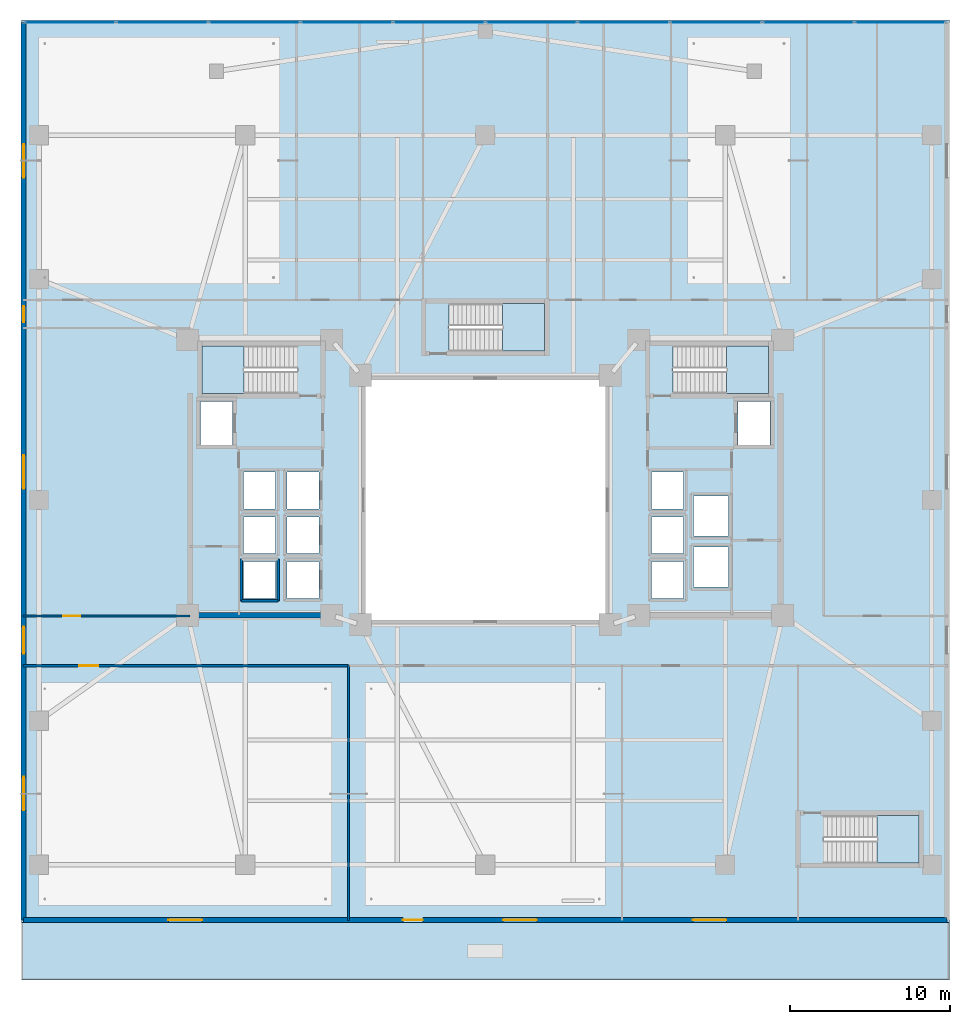
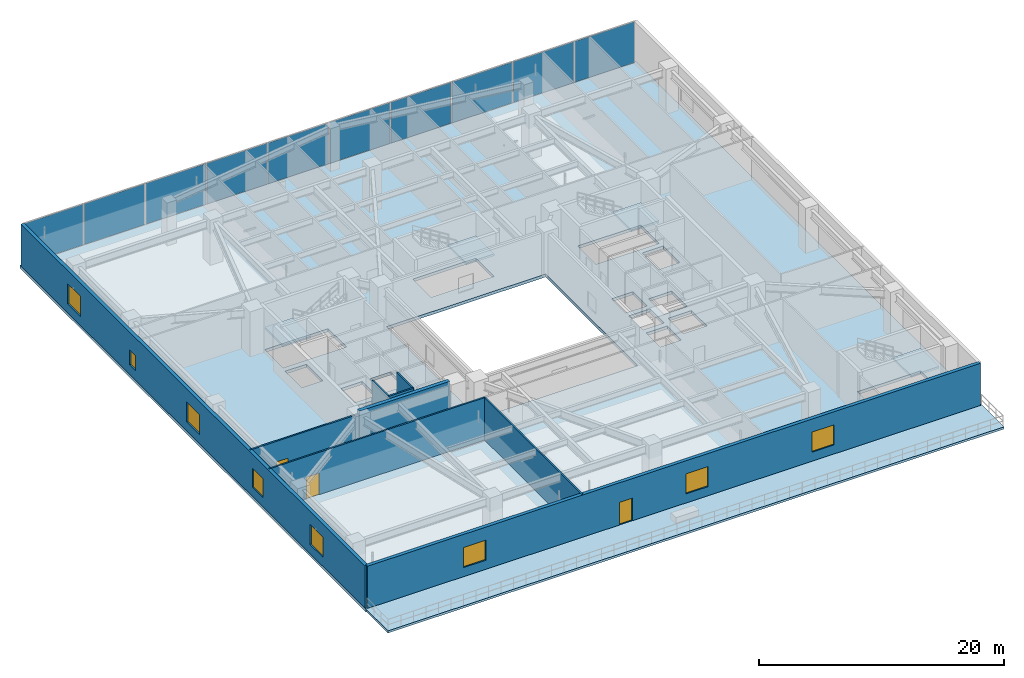
# One storey, part 8 of 22: 10 plates, 9 walls, 8 windows, 6 slabs, 3 doors, 11 openings, 5 elements without a shape of their own.
"""IFC4 building model written with IfcOpenShell, lengths in metres."""

from ifc_helpers import new_model, si_unit, direction, frame, frame_2d, origin, origin_2d, place, context, subcontext, project, spatial, polyline, rectangle, outline, extrude, material, layer, layer_set, type_object, element, fill, aggregate, save


model = new_model("IFC4")

# Units and contexts
model_context = context("Model", 3, precision=1e-05, world=origin(), true_north=direction((0.0, 1.0)))
body_context = subcontext(model_context, "Body", "Model", "MODEL_VIEW")
ifc_project = project(units=[si_unit("LENGTHUNIT", "METRE"), si_unit("AREAUNIT", "SQUARE_METRE"), si_unit("VOLUMEUNIT", "CUBIC_METRE"), si_unit("PLANEANGLEUNIT", "RADIAN"), si_unit("MASSUNIT", "GRAM", prefix="KILO")], contexts=[model_context])

# Site, building, storey
site_placement = place(None, origin())
site = spatial("IfcSite", under=ifc_project, at=site_placement, CompositionType="ELEMENT")
building_placement = place(site_placement, origin())
building = spatial("IfcBuilding", under=site, at=building_placement, Name="Tarnavaz Court Tower", CompositionType="ELEMENT")
storey_placement = place(building_placement, frame((0.0, 0.0, 14.39990234375)))
storey = spatial("IfcBuildingStorey", under=building, at=storey_placement, Name="L03", CompositionType="ELEMENT", Elevation=14.39990234375)

# Curtain wall, plates
ifc_material_1 = material(Name="Anodised Aluminium 6063-T6 and Solar Low-E Glazing", Category="aluminium")
ifc_layer_1 = layer(ifc_material_1, 0.18994140625)
ifc_layer_set_1 = layer_set([ifc_layer_1], Name="Anodised Aluminium 6063-T6 and Solar Low-E Glazing")
curtain_wall_type = type_object("IfcCurtainWallType", Name="CW-SYS-01", PredefinedType="NOTDEFINED", material=ifc_layer_set_1)
curtain_wall_placement = place(storey_placement, origin())
curtain_wall = element("IfcCurtainWall", 1, at=curtain_wall_placement, inside=storey, type_object=curtain_wall_type, Name="L03 Clinic Podium Curtain Wall 1", PredefinedType="NOTDEFINED")
ifc_material_2 = material(Name="Double-Glazed Solar Low-E Glass", Category="glass")
ifc_layer_2 = layer(ifc_material_2, 0.028076171875)
ifc_layer_set_2 = layer_set([ifc_layer_2], Name="Double-Glazed Solar Low-E Glass")
plate_type = type_object("IfcPlateType", Name="CW-PAN-GLZ28", PredefinedType="CURTAIN_PANEL", material=ifc_layer_set_2)
plate_1_placement = place(storey_placement, frame((-25.94384765625, 29.85009765625, 0.06494140625), z_axis=(0.0, 0.0, 1.0), x_axis=(1.0, 0.0, 0.0)))
plate_1 = element("IfcPlate", 2, at=plate_1_placement, type_object=plate_type, Name="CW panel 1.1", PredefinedType="CURTAIN_PANEL", context=body_context, shape_type="SweptSolid", body=[
    extrude(rectangle(XDim=5.642578125, YDim=0.028076171875, at=origin_2d()), origin(), (0.0, 0.0, 1.0), 4.070068359375),
])
plate_2_placement = place(storey_placement, frame((-20.195068359375, 29.85009765625, 0.06494140625), z_axis=(0.0, 0.0, 1.0), x_axis=(1.0, 0.0, 0.0)))
plate_2 = element("IfcPlate", 3, at=plate_2_placement, type_object=plate_type, Name="CW panel 2.1", PredefinedType="CURTAIN_PANEL", context=body_context, shape_type="SweptSolid", body=[
    extrude(rectangle(XDim=5.68505859375, YDim=0.028076171875, at=origin_2d()), origin(), (0.0, 0.0, 1.0), 4.070068359375),
])
plate_3_placement = place(storey_placement, frame((-14.425048828125, 29.85009765625, 0.06494140625), z_axis=(0.0, 0.0, 1.0), x_axis=(1.0, 0.0, 0.0)))
plate_3 = element("IfcPlate", 4, at=plate_3_placement, type_object=plate_type, Name="CW panel 3.1", PredefinedType="CURTAIN_PANEL", context=body_context, shape_type="SweptSolid", body=[
    extrude(rectangle(XDim=5.68505859375, YDim=0.028076171875, at=origin_2d()), origin(), (0.0, 0.0, 1.0), 4.070068359375),
])
plate_4_placement = place(storey_placement, frame((-8.655029296875, 29.85009765625, 0.06494140625), z_axis=(0.0, 0.0, 1.0), x_axis=(1.0, 0.0, 0.0)))
plate_4 = element("IfcPlate", 5, at=plate_4_placement, type_object=plate_type, Name="CW panel 4.1", PredefinedType="CURTAIN_PANEL", context=body_context, shape_type="SweptSolid", body=[
    extrude(rectangle(XDim=5.68505859375, YDim=0.028076171875, at=origin_2d()), origin(), (0.0, 0.0, 1.0), 4.070068359375),
])
plate_5_placement = place(storey_placement, frame((-2.885009765625, 29.85009765625, 0.06494140625), z_axis=(0.0, 0.0, 1.0), x_axis=(1.0, 0.0, 0.0)))
plate_5 = element("IfcPlate", 6, at=plate_5_placement, type_object=plate_type, Name="CW panel 5.1", PredefinedType="CURTAIN_PANEL", context=body_context, shape_type="SweptSolid", body=[
    extrude(rectangle(XDim=5.68505859375, YDim=0.028076171875, at=origin_2d()), origin(), (0.0, 0.0, 1.0), 4.070068359375),
])
plate_6_placement = place(storey_placement, frame((2.885009765625, 29.85009765625, 0.06494140625), z_axis=(0.0, 0.0, 1.0), x_axis=(1.0, 0.0, 0.0)))
plate_6 = element("IfcPlate", 7, at=plate_6_placement, type_object=plate_type, Name="CW panel 6.1", PredefinedType="CURTAIN_PANEL", context=body_context, shape_type="SweptSolid", body=[
    extrude(rectangle(XDim=5.68505859375, YDim=0.028076171875, at=origin_2d()), origin(), (0.0, 0.0, 1.0), 4.070068359375),
])
plate_7_placement = place(storey_placement, frame((8.655029296875, 29.85009765625, 0.06494140625), z_axis=(0.0, 0.0, 1.0), x_axis=(1.0, 0.0, 0.0)))
plate_7 = element("IfcPlate", 8, at=plate_7_placement, type_object=plate_type, Name="CW panel 7.1", PredefinedType="CURTAIN_PANEL", context=body_context, shape_type="SweptSolid", body=[
    extrude(rectangle(XDim=5.68505859375, YDim=0.028076171875, at=origin_2d()), origin(), (0.0, 0.0, 1.0), 4.070068359375),
])
plate_8_placement = place(storey_placement, frame((14.425048828125, 29.85009765625, 0.06494140625), z_axis=(0.0, 0.0, 1.0), x_axis=(1.0, 0.0, 0.0)))
plate_8 = element("IfcPlate", 9, at=plate_8_placement, type_object=plate_type, Name="CW panel 8.1", PredefinedType="CURTAIN_PANEL", context=body_context, shape_type="SweptSolid", body=[
    extrude(rectangle(XDim=5.68505859375, YDim=0.028076171875, at=origin_2d()), origin(), (0.0, 0.0, 1.0), 4.070068359375),
])
plate_9_placement = place(storey_placement, frame((20.195068359375, 29.85009765625, 0.06494140625), z_axis=(0.0, 0.0, 1.0), x_axis=(1.0, 0.0, 0.0)))
plate_9 = element("IfcPlate", 10, at=plate_9_placement, type_object=plate_type, Name="CW panel 9.1", PredefinedType="CURTAIN_PANEL", context=body_context, shape_type="SweptSolid", body=[
    extrude(rectangle(XDim=5.68505859375, YDim=0.028076171875, at=origin_2d()), origin(), (0.0, 0.0, 1.0), 4.070068359375),
])
plate_10_placement = place(storey_placement, frame((25.94384765625, 29.85009765625, 0.06494140625), z_axis=(0.0, 0.0, 1.0), x_axis=(1.0, 0.0, 0.0)))
plate_10 = element("IfcPlate", 11, at=plate_10_placement, type_object=plate_type, Name="CW panel 10.1", PredefinedType="CURTAIN_PANEL", context=body_context, shape_type="SweptSolid", body=[
    extrude(rectangle(XDim=5.642578125, YDim=0.028076171875, at=origin_2d()), origin(), (0.0, 0.0, 1.0), 4.070068359375),
])
aggregate(curtain_wall, [plate_1, plate_2, plate_3, plate_4, plate_5, plate_6, plate_7, plate_8, plate_9, plate_10])

# Stair, slab
ifc_material_3 = material(Name="Concrete C40/50", Category="concrete")
stair_type = type_object("IfcStairType", Name="ST-TWR-26R", PredefinedType="HALF_TURN_STAIR", material=ifc_material_3)
stair_1_placement = place(storey_placement, origin())
stair_1 = element("IfcStair", 12, at=stair_1_placement, inside=storey, type_object=stair_type, Name="L03 West Core Pressurized Exit Stair ST-W1", PredefinedType="HALF_TURN_STAIR")
ifc_layer_3 = layer(ifc_material_3, 0.199951171875)
ifc_layer_set_3 = layer_set([ifc_layer_3], Name="Concrete C40/50")
slab_type_1 = type_object("IfcSlabType", Name="SL-LAND-200", PredefinedType="LANDING", material=ifc_layer_set_3)
slab_1_placement = place(storey_placement, frame((0.0, 0.0, 2.050048828125)))
slab_1 = element("IfcSlab", 13, at=slab_1_placement, type_object=slab_type_1, Name="ST-W1 landing 1", PredefinedType="LANDING", context=body_context, shape_type="SweptSolid", body=[
    extrude(outline(polyline([(-15.080078125, 9.639892578125), (-17.699951171875, 9.639892578125), (-17.699951171875, 6.64990234375), (-15.080078125, 6.64990234375), (-15.080078125, 9.639892578125)])), origin(), (0.0, 0.0, 1.0), 0.199951171875),
])
aggregate(stair_1, [slab_1])

stair_2_placement = place(storey_placement, origin())
stair_2 = element("IfcStair", 14, at=stair_2_placement, inside=storey, type_object=stair_type, Name="L03 East Core Pressurized Exit Stair ST-E1", PredefinedType="HALF_TURN_STAIR")
slab_2_placement = place(storey_placement, frame((0.0, 0.0, 2.050048828125)))
slab_2 = element("IfcSlab", 15, at=slab_2_placement, type_object=slab_type_1, Name="ST-E1 landing 1", PredefinedType="LANDING", context=body_context, shape_type="SweptSolid", body=[
    extrude(outline(polyline([(15.080078125, 6.64990234375), (17.699951171875, 6.64990234375), (17.699951171875, 9.639892578125), (15.080078125, 9.639892578125), (15.080078125, 6.64990234375)])), origin(), (0.0, 0.0, 1.0), 0.199951171875),
])
aggregate(stair_2, [slab_2])

stair_3_placement = place(storey_placement, origin())
stair_3 = element("IfcStair", 16, at=stair_3_placement, inside=storey, type_object=stair_type, Name="L03 North Ring Pressurized Exit Stair ST-N1", PredefinedType="HALF_TURN_STAIR")
slab_3_placement = place(storey_placement, frame((0.0, 0.0, 2.050048828125)))
slab_3 = element("IfcSlab", 17, at=slab_3_placement, type_object=slab_type_1, Name="ST-N1 landing 1", PredefinedType="LANDING", context=body_context, shape_type="SweptSolid", body=[
    extrude(outline(polyline([(1.080078125, 9.300048828125), (3.699951171875, 9.300048828125), (3.699951171875, 12.2900390625), (1.080078125, 12.2900390625), (1.080078125, 9.300048828125)])), origin(), (0.0, 0.0, 1.0), 0.199951171875),
])
aggregate(stair_3, [slab_3])

stair_4_placement = place(storey_placement, origin())
stair_4 = element("IfcStair", 18, at=stair_4_placement, inside=storey, type_object=stair_type, Name="L03 Podium Clinic Exit Stair ST-P1", PredefinedType="HALF_TURN_STAIR")
slab_4_placement = place(storey_placement, frame((0.0, 0.0, 2.050048828125)))
slab_4 = element("IfcSlab", 19, at=slab_4_placement, type_object=slab_type_1, Name="ST-P1 landing 1", PredefinedType="LANDING", context=body_context, shape_type="SweptSolid", body=[
    extrude(outline(polyline([(24.47998046875, -22.699951171875), (27.10009765625, -22.699951171875), (27.10009765625, -19.7099609375), (24.47998046875, -19.7099609375), (24.47998046875, -22.699951171875)])), origin(), (0.0, 0.0, 1.0), 0.199951171875),
])
aggregate(stair_4, [slab_4])

# Slabs
ifc_layer_4 = layer(ifc_material_3, 0.300048828125)
ifc_layer_set_4 = layer_set([ifc_layer_4], Name="Concrete C40/50")
slab_type_2 = type_object("IfcSlabType", Name="SL-POD-300", PredefinedType="FLOOR", material=ifc_layer_set_4)
slab_5_placement = place(storey_placement, frame((0.0, 0.0, -0.2998046875)))
element("IfcSlab", 20, at=slab_5_placement, inside=storey, type_object=slab_type_2, Name="L03 Structural Floor Slab", PredefinedType="FLOOR", context=body_context, shape_type="SweptSolid", body=[
    extrude(outline(polyline([(-29.0, -26.39990234375), (29.0, -26.39990234375), (29.0, 30.0), (-29.0, 30.0), (-29.0, -26.39990234375)]), holes=[polyline([(-7.5, -7.5), (7.5, -7.5), (7.5, 7.5), (-7.5, 7.5), (-7.5, -7.5)]), polyline([(-11.7451171875, 9.639892578125), (-17.699951171875, 9.639892578125), (-17.699951171875, 6.64990234375), (-11.7451171875, 6.64990234375), (-11.7451171875, 9.639892578125)]), polyline([(11.7451171875, 6.64990234375), (17.699951171875, 6.64990234375), (17.699951171875, 9.639892578125), (11.7451171875, 9.639892578125), (11.7451171875, 6.64990234375)]), polyline([(-2.2548828125, 9.300048828125), (3.699951171875, 9.300048828125), (3.699951171875, 12.2900390625), (-2.2548828125, 12.2900390625), (-2.2548828125, 9.300048828125)]), polyline([(21.14501953125, -22.699951171875), (27.10009765625, -22.699951171875), (27.10009765625, -19.7099609375), (21.14501953125, -19.7099609375), (21.14501953125, -22.699951171875)]), polyline([(-17.800048828125, 3.449951171875), (-15.800048828125, 3.449951171875), (-15.800048828125, 6.14990234375), (-17.800048828125, 6.14990234375), (-17.800048828125, 3.449951171875)]), polyline([(-12.39990234375, -6.14990234375), (-10.39990234375, -6.14990234375), (-10.39990234375, -3.85009765625), (-12.39990234375, -3.85009765625), (-12.39990234375, -6.14990234375)]), polyline([(-12.39990234375, -3.35009765625), (-10.39990234375, -3.35009765625), (-10.39990234375, -1.050048828125), (-12.39990234375, -1.050048828125), (-12.39990234375, -3.35009765625)]), polyline([(-12.39990234375, -0.550048828125), (-10.39990234375, -0.550048828125), (-10.39990234375, 1.75), (-12.39990234375, 1.75), (-12.39990234375, -0.550048828125)]), polyline([(-15.10009765625, -6.14990234375), (-13.10009765625, -6.14990234375), (-13.10009765625, -3.85009765625), (-15.10009765625, -3.85009765625), (-15.10009765625, -6.14990234375)]), polyline([(-15.10009765625, -3.35009765625), (-13.10009765625, -3.35009765625), (-13.10009765625, -1.050048828125), (-15.10009765625, -1.050048828125), (-15.10009765625, -3.35009765625)]), polyline([(-15.10009765625, -0.550048828125), (-13.10009765625, -0.550048828125), (-13.10009765625, 1.75), (-15.10009765625, 1.75), (-15.10009765625, -0.550048828125)]), polyline([(15.800048828125, 3.449951171875), (17.800048828125, 3.449951171875), (17.800048828125, 6.14990234375), (15.800048828125, 6.14990234375), (15.800048828125, 3.449951171875)]), polyline([(10.39990234375, -6.14990234375), (12.39990234375, -6.14990234375), (12.39990234375, -3.85009765625), (10.39990234375, -3.85009765625), (10.39990234375, -6.14990234375)]), polyline([(10.39990234375, -3.35009765625), (12.39990234375, -3.35009765625), (12.39990234375, -1.050048828125), (10.39990234375, -1.050048828125), (10.39990234375, -3.35009765625)]), polyline([(10.39990234375, -0.550048828125), (12.39990234375, -0.550048828125), (12.39990234375, 1.75), (10.39990234375, 1.75), (10.39990234375, -0.550048828125)]), polyline([(13.0, -5.449951171875), (15.199951171875, -5.449951171875), (15.199951171875, -2.949951171875), (13.0, -2.949951171875), (13.0, -5.449951171875)]), polyline([(13.0, -2.25), (15.199951171875, -2.25), (15.199951171875, 0.25), (13.0, 0.25), (13.0, -2.25)])]), origin(), (0.0, 0.0, 1.0), 0.2998046875),
])
ifc_layer_5 = layer(ifc_material_3, 0.219970703125)
ifc_layer_set_5 = layer_set([ifc_layer_5], Name="Concrete C40/50")
slab_type_3 = type_object("IfcSlabType", Name="SL-TERR-220", PredefinedType="FLOOR", material=ifc_layer_set_5)
slab_6_placement = place(storey_placement, frame((0.0, 0.0, -0.219970703125)))
element("IfcSlab", 21, at=slab_6_placement, inside=storey, type_object=slab_type_3, Name="L03 South Chahar-Bagh Daycare Terrace", PredefinedType="FLOOR", context=body_context, shape_type="SweptSolid", body=[
    extrude(outline(polyline([(-29.0, -30.0), (29.0, -30.0), (29.0, -26.39990234375), (-29.0, -26.39990234375), (-29.0, -30.0)])), origin(), (0.0, 0.0, 1.0), 0.219970703125),
])

# Wall
ifc_material_4 = material(Name="Concrete C60/75", Category="concrete")
ifc_layer_6 = layer(ifc_material_4, 0.35009765625)
ifc_layer_set_6 = layer_set([ifc_layer_6], Name="Concrete C60/75")
wall_type_1 = type_object("IfcWallType", Name="WL-CORE-350-C60", PredefinedType="SHEAR", material=ifc_layer_set_6)
wall_1_placement = place(storey_placement, frame((-18.625, -7.199951171875, 0.0), z_axis=(0.0, 0.0, 1.0), x_axis=(1.0, 0.0, 0.0)))
element("IfcWall", 22, at=wall_1_placement, inside=storey, type_object=wall_type_1, Name="L03 West Core South Shear Wall 074", PredefinedType="SHEAR", context=body_context, shape_type="SweptSolid", body=[
    extrude(rectangle(XDim=8.550048828125, YDim=0.35009765625, at=frame_2d((4.27490234375, 0.0))), origin(), (0.0, 0.0, 1.0), 4.5),
])

# Wall, openings, door, windows
ifc_material_5 = material(Name="Precast Concrete C40/50", Category="concrete")
ifc_layer_7 = layer(ifc_material_5, 0.320068359375)
ifc_layer_set_7 = layer_set([ifc_layer_7], Name="Precast Concrete C40/50")
wall_type_2 = type_object("IfcWallType", Name="WL-EXT-320", PredefinedType="SOLIDWALL", material=ifc_layer_set_7)
wall_2_placement = place(storey_placement, frame((28.85009765625, -26.25, 0.0), z_axis=(0.0, 0.0, 1.0), x_axis=(-1.0, 0.0, 0.0)))
wall_2 = element("IfcWall", 23, at=wall_2_placement, inside=storey, type_object=wall_type_2, Name="L03 Exterior Terracotta Facade Wall 03", PredefinedType="SOLIDWALL", context=body_context, shape_type="SweptSolid", body=[
    extrude(rectangle(XDim=57.7001953125, YDim=0.320068359375, at=frame_2d((28.85009765625, 0.0))), origin(), (0.0, 0.0, 1.0), 4.2001953125),
])
opening_1_placement = place(wall_2_placement, frame((32.75, 0.0, 0.0)))
opening_1 = element("IfcOpeningElement", 24, at=opening_1_placement, cuts=wall_2, Name="Opening TD2", PredefinedType="OPENING", context=body_context, shape_type="SweptSolid", body=[
    extrude(rectangle(XDim=1.25, YDim=2.25, at=frame_2d((0.625, 1.125))), frame((0.0, 0.169921875, 0.0), z_axis=(0.0, -1.0, 0.0), x_axis=(1.0, 0.0, 0.0)), (0.0, 0.0, 1.0), 0.340087890625),
])
opening_2_placement = place(wall_2_placement, frame((13.77490234375, 0.0, 0.89990234375)))
opening_2 = element("IfcOpeningElement", 25, at=opening_2_placement, cuts=wall_2, Name="Opening W09", PredefinedType="OPENING", context=body_context, shape_type="SweptSolid", body=[
    extrude(rectangle(XDim=2.10009765625, YDim=2.0, at=frame_2d((1.050048828125, 1.0))), frame((0.0, 0.169921875, 0.0), z_axis=(0.0, -1.0, 0.0), x_axis=(1.0, 0.0, 0.0)), (0.0, 0.0, 1.0), 0.340087890625),
])
opening_3_placement = place(wall_2_placement, frame((25.6298828125, 0.0, 0.89990234375)))
opening_3 = element("IfcOpeningElement", 26, at=opening_3_placement, cuts=wall_2, Name="Opening W09", PredefinedType="OPENING", context=body_context, shape_type="SweptSolid", body=[
    extrude(rectangle(XDim=2.10009765625, YDim=2.0, at=frame_2d((1.050048828125, 1.0))), frame((0.0, 0.169921875, 0.0), z_axis=(0.0, -1.0, 0.0), x_axis=(1.0, 0.0, 0.0)), (0.0, 0.0, 1.0), 0.340087890625),
])
opening_4_placement = place(wall_2_placement, frame((46.550048828125, 0.0, 0.89990234375)))
opening_4 = element("IfcOpeningElement", 27, at=opening_4_placement, cuts=wall_2, Name="Opening W09", PredefinedType="OPENING", context=body_context, shape_type="SweptSolid", body=[
    extrude(rectangle(XDim=2.10009765625, YDim=2.0, at=frame_2d((1.050048828125, 1.0))), frame((0.0, 0.169921875, 0.0), z_axis=(0.0, -1.0, 0.0), x_axis=(1.0, 0.0, 0.0)), (0.0, 0.0, 1.0), 0.340087890625),
])
ifc_material_6 = material(Name="Thermally Broken Aluminium and Laminated Glass", Category="aluminium")
door_type_1 = type_object("IfcDoorType", Name="DR-TERR-1250", OperationType="NOTDEFINED", PredefinedType="DOOR", material=ifc_material_6)
door_1_placement = place(opening_1_placement, origin())
door_1 = element("IfcDoor", 28, at=door_1_placement, inside=storey, type_object=door_type_1, Name="L03 Sky Terrace Access Door 1", OperationType="SINGLE_SWING_LEFT", OverallHeight=2.25, OverallWidth=1.25, PredefinedType="DOOR", context=body_context, shape_type="SweptSolid", body=[
    extrude(rectangle(XDim=1.25, YDim=2.25, at=frame_2d((0.625, 1.125))), frame((0.0, 0.02490234375, 0.0), z_axis=(0.0, -1.0, 0.0), x_axis=(1.0, 0.0, 0.0)), (0.0, 0.0, 1.0), 0.050048828125),
])
fill(opening_1, door_1)
window_type_1 = type_object("IfcWindowType", Name="WN-CLN-2100", PartitioningType="DOUBLE_PANEL_VERTICAL", PredefinedType="WINDOW", material=ifc_material_2)
window_1_placement = place(opening_2_placement, origin())
window_1 = element("IfcWindow", 29, at=window_1_placement, inside=storey, type_object=window_type_1, Name="L03 L03 South-East Treatment Suite Window", OverallHeight=2.0, OverallWidth=2.10009765625, PartitioningType="SINGLE_PANEL", PredefinedType="WINDOW", context=body_context, shape_type="SweptSolid", body=[
    extrude(rectangle(XDim=2.10009765625, YDim=2.0, at=frame_2d((1.050048828125, 1.0))), frame((0.0, 0.030029296875, 0.0), z_axis=(0.0, -1.0, 0.0), x_axis=(1.0, 0.0, 0.0)), (0.0, 0.0, 1.0), 0.06005859375),
])
fill(opening_2, window_1)
window_2_placement = place(opening_3_placement, origin())
window_2 = element("IfcWindow", 30, at=window_2_placement, inside=storey, type_object=window_type_1, Name="L03 Parent and Community Welfare Lounge Window", OverallHeight=2.0, OverallWidth=2.10009765625, PartitioningType="SINGLE_PANEL", PredefinedType="WINDOW", context=body_context, shape_type="SweptSolid", body=[
    extrude(rectangle(XDim=2.10009765625, YDim=2.0, at=frame_2d((1.050048828125, 1.0))), frame((0.0, 0.030029296875, 0.0), z_axis=(0.0, -1.0, 0.0), x_axis=(1.0, 0.0, 0.0)), (0.0, 0.0, 1.0), 0.06005859375),
])
fill(opening_3, window_2)
window_3_placement = place(opening_4_placement, origin())
window_3 = element("IfcWindow", 31, at=window_3_placement, inside=storey, type_object=window_type_1, Name="L03 L03 West Terrace Waiting Lounge Window", OverallHeight=2.0, OverallWidth=2.10009765625, PartitioningType="SINGLE_PANEL", PredefinedType="WINDOW", context=body_context, shape_type="SweptSolid", body=[
    extrude(rectangle(XDim=2.10009765625, YDim=2.0, at=frame_2d((1.050048828125, 1.0))), frame((0.0, 0.030029296875, 0.0), z_axis=(0.0, -1.0, 0.0), x_axis=(1.0, 0.0, 0.0)), (0.0, 0.0, 1.0), 0.06005859375),
])
fill(opening_4, window_3)

# Wall, openings, windows
wall_3_placement = place(storey_placement, frame((-28.85009765625, -26.25, 0.0), z_axis=(0.0, 0.0, 1.0), x_axis=(0.0, 1.0, 0.0)))
wall_3 = element("IfcWall", 32, at=wall_3_placement, inside=storey, type_object=wall_type_2, Name="L03 Exterior Terracotta Facade Wall 04", PredefinedType="SOLIDWALL", context=body_context, shape_type="SweptSolid", body=[
    extrude(rectangle(XDim=56.10009765625, YDim=0.320068359375, at=frame_2d((28.050048828125, 0.0))), origin(), (0.0, 0.0, 1.0), 4.2001953125),
])
opening_5_placement = place(wall_3_placement, frame((6.85009765625, 0.0, 0.89990234375)))
opening_5 = element("IfcOpeningElement", 33, at=opening_5_placement, cuts=wall_3, Name="Opening W09", PredefinedType="OPENING", context=body_context, shape_type="SweptSolid", body=[
    extrude(rectangle(XDim=2.10009765625, YDim=2.0, at=frame_2d((1.050048828125, 1.0))), frame((0.0, 0.169921875, 0.0), z_axis=(0.0, -1.0, 0.0), x_axis=(1.0, 0.0, 0.0)), (0.0, 0.0, 1.0), 0.340087890625),
])
opening_6_placement = place(wall_3_placement, frame((16.642578125, 0.0, 0.89990234375)))
opening_6 = element("IfcOpeningElement", 34, at=opening_6_placement, cuts=wall_3, Name="Opening W10", PredefinedType="OPENING", context=body_context, shape_type="SweptSolid", body=[
    extrude(rectangle(XDim=1.699951171875, YDim=1.89990234375, at=frame_2d((0.85009765625, 0.949951171875))), frame((0.0, 0.169921875, 0.0), z_axis=(0.0, -1.0, 0.0), x_axis=(1.0, 0.0, 0.0)), (0.0, 0.0, 1.0), 0.340087890625),
])
opening_7_placement = place(wall_3_placement, frame((26.949951171875, 0.0, 0.89990234375)))
opening_7 = element("IfcOpeningElement", 35, at=opening_7_placement, cuts=wall_3, Name="Opening W09", PredefinedType="OPENING", context=body_context, shape_type="SweptSolid", body=[
    extrude(rectangle(XDim=2.10009765625, YDim=2.0, at=frame_2d((1.050048828125, 1.0))), frame((0.0, 0.169921875, 0.0), z_axis=(0.0, -1.0, 0.0), x_axis=(1.0, 0.0, 0.0)), (0.0, 0.0, 1.0), 0.340087890625),
])
opening_8_placement = place(wall_3_placement, frame((37.375, 0.0, 0.949951171875)))
opening_8 = element("IfcOpeningElement", 36, at=opening_8_placement, cuts=wall_3, Name="Opening W14", PredefinedType="OPENING", context=body_context, shape_type="SweptSolid", body=[
    extrude(rectangle(XDim=1.0, YDim=1.5, at=frame_2d((0.5, 0.75))), frame((0.0, 0.169921875, 0.0), z_axis=(0.0, -1.0, 0.0), x_axis=(1.0, 0.0, 0.0)), (0.0, 0.0, 1.0), 0.340087890625),
])
opening_9_placement = place(wall_3_placement, frame((46.39990234375, 0.0, 0.89990234375)))
opening_9 = element("IfcOpeningElement", 37, at=opening_9_placement, cuts=wall_3, Name="Opening W09", PredefinedType="OPENING", context=body_context, shape_type="SweptSolid", body=[
    extrude(rectangle(XDim=2.10009765625, YDim=2.0, at=frame_2d((1.050048828125, 1.0))), frame((0.0, 0.169921875, 0.0), z_axis=(0.0, -1.0, 0.0), x_axis=(1.0, 0.0, 0.0)), (0.0, 0.0, 1.0), 0.340087890625),
])
window_type_2 = type_object("IfcWindowType", Name="WN-APT-1000", PartitioningType="SINGLE_PANEL", PredefinedType="WINDOW", material=ifc_material_2)
window_4_placement = place(opening_8_placement, origin())
window_4 = element("IfcWindow", 38, at=window_4_placement, inside=storey, type_object=window_type_2, Name="L03 North-West Wing Corridor Window", OverallHeight=1.5, OverallWidth=1.0, PartitioningType="SINGLE_PANEL", PredefinedType="WINDOW", context=body_context, shape_type="SweptSolid", body=[
    extrude(rectangle(XDim=1.0, YDim=1.5, at=frame_2d((0.5, 0.75))), frame((0.0, 0.030029296875, 0.0), z_axis=(0.0, -1.0, 0.0), x_axis=(1.0, 0.0, 0.0)), (0.0, 0.0, 1.0), 0.06005859375),
])
fill(opening_8, window_4)
window_type_3 = type_object("IfcWindowType", Name="WN-CLN-1700", PartitioningType="DOUBLE_PANEL_VERTICAL", PredefinedType="WINDOW", material=ifc_material_2)
window_5_placement = place(opening_6_placement, origin())
window_5 = element("IfcWindow", 39, at=window_5_placement, inside=storey, type_object=window_type_3, Name="L03 South-West Wing Corridor Window", OverallHeight=1.89990234375, OverallWidth=1.699951171875, PartitioningType="SINGLE_PANEL", PredefinedType="WINDOW", context=body_context, shape_type="SweptSolid", body=[
    extrude(rectangle(XDim=1.699951171875, YDim=1.89990234375, at=frame_2d((0.85009765625, 0.949951171875))), frame((0.0, 0.030029296875, 0.0), z_axis=(0.0, -1.0, 0.0), x_axis=(1.0, 0.0, 0.0)), (0.0, 0.0, 1.0), 0.06005859375),
])
fill(opening_6, window_5)
window_6_placement = place(opening_5_placement, origin())
window_6 = element("IfcWindow", 40, at=window_6_placement, inside=storey, type_object=window_type_1, Name="L03 L03 West Terrace Waiting Lounge Window", OverallHeight=2.0, OverallWidth=2.10009765625, PartitioningType="SINGLE_PANEL", PredefinedType="WINDOW", context=body_context, shape_type="SweptSolid", body=[
    extrude(rectangle(XDim=2.10009765625, YDim=2.0, at=frame_2d((1.050048828125, 1.0))), frame((0.0, 0.030029296875, 0.0), z_axis=(0.0, -1.0, 0.0), x_axis=(1.0, 0.0, 0.0)), (0.0, 0.0, 1.0), 0.06005859375),
])
fill(opening_5, window_6)
window_7_placement = place(opening_7_placement, origin())
window_7 = element("IfcWindow", 41, at=window_7_placement, inside=storey, type_object=window_type_1, Name="L03 L03 West Chahar-Bagh Clinical Lounge Window", OverallHeight=2.0, OverallWidth=2.10009765625, PartitioningType="SINGLE_PANEL", PredefinedType="WINDOW", context=body_context, shape_type="SweptSolid", body=[
    extrude(rectangle(XDim=2.10009765625, YDim=2.0, at=frame_2d((1.050048828125, 1.0))), frame((0.0, 0.030029296875, 0.0), z_axis=(0.0, -1.0, 0.0), x_axis=(1.0, 0.0, 0.0)), (0.0, 0.0, 1.0), 0.06005859375),
])
fill(opening_7, window_7)
window_8_placement = place(opening_9_placement, origin())
window_8 = element("IfcWindow", 42, at=window_8_placement, inside=storey, type_object=window_type_1, Name="L03 Early-Learning Nursery Classroom West Window", OverallHeight=2.0, OverallWidth=2.10009765625, PartitioningType="SINGLE_PANEL", PredefinedType="WINDOW", context=body_context, shape_type="SweptSolid", body=[
    extrude(rectangle(XDim=2.10009765625, YDim=2.0, at=frame_2d((1.050048828125, 1.0))), frame((0.0, 0.030029296875, 0.0), z_axis=(0.0, -1.0, 0.0), x_axis=(1.0, 0.0, 0.0)), (0.0, 0.0, 1.0), 0.06005859375),
])
fill(opening_9, window_8)

# Wall, opening, door
ifc_material_7 = material(Name="Gypsum Fire-Board on Acoustic Metal Stud", Category="masonry")
ifc_layer_8 = layer(ifc_material_7, 0.14990234375)
ifc_layer_set_8 = layer_set([ifc_layer_8], Name="Gypsum Fire-Board on Acoustic Metal Stud")
wall_type_3 = type_object("IfcWallType", Name="WL-FIRE-150", PredefinedType="PARTITIONING", material=ifc_layer_set_8)
wall_4_placement = place(storey_placement, frame((-28.8798828125, -10.35009765625, 0.0), z_axis=(0.0, 0.0, 1.0), x_axis=(1.0, 0.0, 0.0)))
wall_4 = element("IfcWall", 43, at=wall_4_placement, inside=storey, type_object=wall_type_3, Name="L03 SW Corridor Wall 088", PredefinedType="PARTITIONING", context=body_context, shape_type="SweptSolid", body=[
    extrude(rectangle(XDim=20.329833984375, YDim=0.14990234375, at=frame_2d((10.1650390625, 0.0))), origin(), (0.0, 0.0, 1.0), 4.2001953125),
])
opening_10_placement = place(wall_4_placement, frame((3.5, 0.0, 0.0)))
opening_10 = element("IfcOpeningElement", 44, at=opening_10_placement, cuts=wall_4, Name="Opening D11", PredefinedType="OPENING", context=body_context, shape_type="SweptSolid", body=[
    extrude(rectangle(XDim=1.199951171875, YDim=2.14990234375, at=frame_2d((0.60009765625, 1.074951171875))), frame((0.0, 0.0849609375, 0.0), z_axis=(0.0, -1.0, 0.0), x_axis=(1.0, 0.0, 0.0)), (0.0, 0.0, 1.0), 0.169921875),
])
ifc_material_8 = material(Name="Engineered Oak Timber", Category="wood")
door_type_2 = type_object("IfcDoorType", Name="DR-INT-1200", OperationType="NOTDEFINED", PredefinedType="DOOR", material=ifc_material_8)
door_2_placement = place(opening_10_placement, origin())
door_2 = element("IfcDoor", 45, at=door_2_placement, inside=storey, type_object=door_type_2, Name="L03 West Terrace Lounge Door", OperationType="SINGLE_SWING_RIGHT", OverallHeight=2.14990234375, OverallWidth=1.199951171875, PredefinedType="DOOR", context=body_context, shape_type="SweptSolid", body=[
    extrude(rectangle(XDim=1.199951171875, YDim=2.14990234375, at=frame_2d((0.60009765625, 1.074951171875))), frame((0.0, 0.02490234375, 0.0), z_axis=(0.0, -1.0, 0.0), x_axis=(1.0, 0.0, 0.0)), (0.0, 0.0, 1.0), 0.050048828125),
])
fill(opening_10, door_2)

wall_5_placement = place(storey_placement, frame((-28.8798828125, -7.25, 0.0), z_axis=(0.0, 0.0, 1.0), x_axis=(1.0, 0.0, 0.0)))
wall_5 = element("IfcWall", 46, at=wall_5_placement, inside=storey, type_object=wall_type_3, Name="L03 Interior Partition 103", PredefinedType="PARTITIONING", context=body_context, shape_type="SweptSolid", body=[
    extrude(rectangle(XDim=10.429931640625, YDim=0.14990234375, at=frame_2d((5.21484375, 0.0))), origin(), (0.0, 0.0, 1.0), 4.2001953125),
])
opening_11_placement = place(wall_5_placement, frame((2.5, 0.0, 0.0)))
opening_11 = element("IfcOpeningElement", 47, at=opening_11_placement, cuts=wall_5, Name="Opening D12", PredefinedType="OPENING", context=body_context, shape_type="SweptSolid", body=[
    extrude(rectangle(XDim=1.080078125, YDim=2.14990234375, at=frame_2d((0.5400390625, 1.074951171875))), frame((0.0, 0.0849609375, 0.0), z_axis=(0.0, -1.0, 0.0), x_axis=(1.0, 0.0, 0.0)), (0.0, 0.0, 1.0), 0.169921875),
])
door_type_3 = type_object("IfcDoorType", Name="DR-INT-1100", OperationType="NOTDEFINED", PredefinedType="DOOR", material=ifc_material_8)
door_3_placement = place(opening_11_placement, origin())
door_3 = element("IfcDoor", 48, at=door_3_placement, inside=storey, type_object=door_type_3, Name="L03 West Clinical Lounge Door", OperationType="SINGLE_SWING_LEFT", OverallHeight=2.14990234375, OverallWidth=1.080078125, PredefinedType="DOOR", context=body_context, shape_type="SweptSolid", body=[
    extrude(rectangle(XDim=1.080078125, YDim=2.14990234375, at=frame_2d((0.5400390625, 1.074951171875))), frame((0.0, 0.02490234375, 0.0), z_axis=(0.0, -1.0, 0.0), x_axis=(1.0, 0.0, 0.0)), (0.0, 0.0, 1.0), 0.050048828125),
])
fill(opening_11, door_3)

# Walls
ifc_material_9 = material(Name="Gypsum Plasterboard Acoustic Partition", Category="masonry")
ifc_layer_9 = layer(ifc_material_9, 0.139892578125)
ifc_layer_set_9 = layer_set([ifc_layer_9], Name="Gypsum Plasterboard Acoustic Partition")
wall_type_4 = type_object("IfcWallType", Name="WL-PART-150", PredefinedType="PARTITIONING", material=ifc_layer_set_9)
wall_6_placement = place(storey_placement, frame((-8.550048828125, -26.280029296875, 0.0), z_axis=(0.0, 0.0, 1.0), x_axis=(0.0, 1.0, 0.0)))
element("IfcWall", 49, at=wall_6_placement, inside=storey, type_object=wall_type_4, Name="L03 Interior Partition 099", PredefinedType="PARTITIONING", context=body_context, shape_type="SweptSolid", body=[
    extrude(rectangle(XDim=15.929931640625, YDim=0.139892578125, at=frame_2d((7.96484375, 0.0))), origin(), (0.0, 0.0, 1.0), 4.2001953125),
])
ifc_material_10 = material(Name="Autoclaved Aerated Concrete Blockwork", Category="masonry")
ifc_layer_10 = layer(ifc_material_10, 0.159912109375)
ifc_layer_set_10 = layer_set([ifc_layer_10], Name="Autoclaved Aerated Concrete Blockwork")
wall_type_5 = type_object("IfcWallType", Name="WL-SHAFT-150", PredefinedType="SOLIDWALL", material=ifc_layer_set_10)
for number, where, z_axis, x_axis, name in (
    (50, (-15.25, -6.300048828125, 0.0), (0.0, 0.0, 1.0), (0.0, 1.0, 0.0), "L03 Lift PL-H1 Shaft Wall 037"),
    (51, (-12.949951171875, -6.300048828125, 0.0), (0.0, 0.0, 1.0), (0.0, 1.0, 0.0), "L03 Lift PL-H1 Shaft Wall 038"),
):
    element("IfcWall", number, at=place(storey_placement, frame(where, z_axis=z_axis, x_axis=x_axis)), inside=storey, type_object=wall_type_5, Name=name, PredefinedType="SOLIDWALL", context=body_context, shape_type="SweptSolid", body=[
        extrude(rectangle(XDim=2.60009765625, YDim=0.159912109375, at=frame_2d((1.300048828125, 0.0))), origin(), (0.0, 0.0, 1.0), 4.2001953125),
    ])
wall_7_placement = place(storey_placement, frame((-15.25, -6.300048828125, 0.0), z_axis=(0.0, 0.0, 1.0), x_axis=(1.0, 0.0, 0.0)))
element("IfcWall", 52, at=wall_7_placement, inside=storey, type_object=wall_type_5, Name="L03 Lift PL-H1 Shaft Wall 039", PredefinedType="SOLIDWALL", context=body_context, shape_type="SweptSolid", body=[
    extrude(rectangle(XDim=2.300048828125, YDim=0.159912109375, at=frame_2d((1.14990234375, 0.0))), origin(), (0.0, 0.0, 1.0), 4.2001953125),
])

save(model, "model.ifc")
